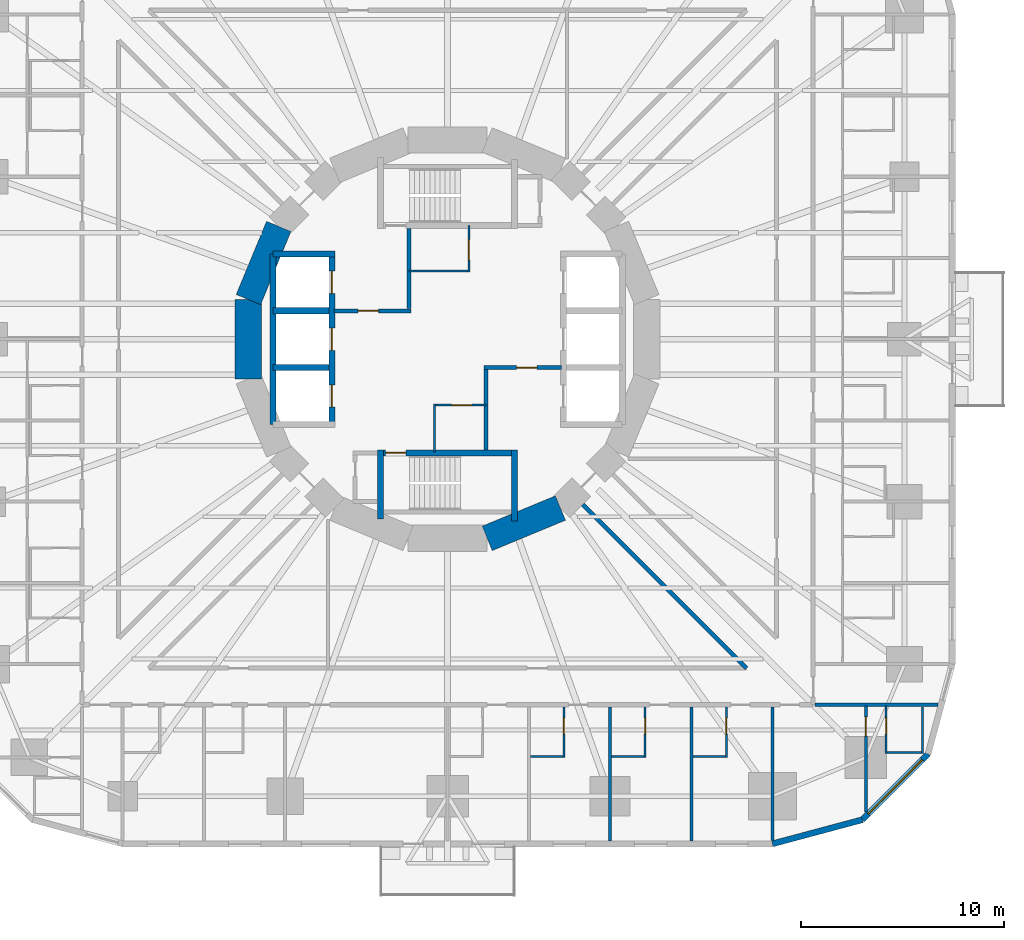
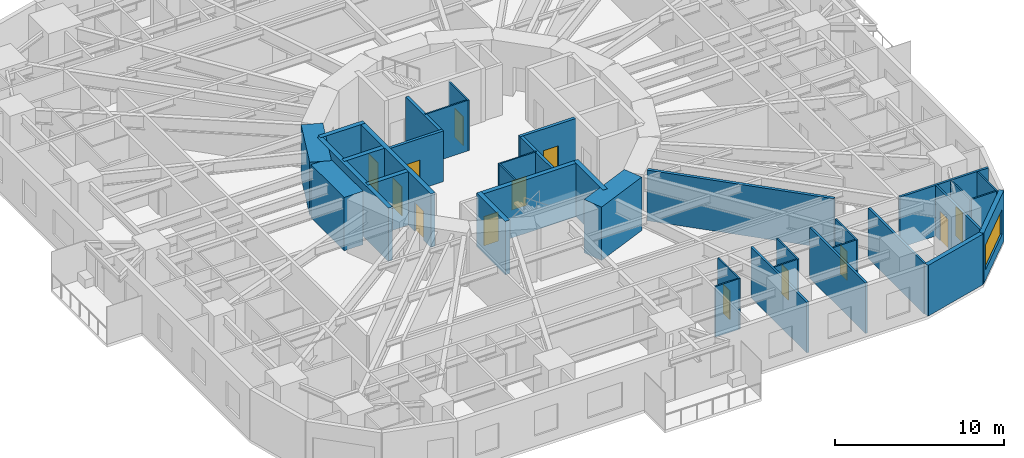
# One storey, part 7 of 14: 36 walls, 13 doors, 1 window, 14 openings.
"""IFC4 building model written with IfcOpenShell, lengths in metres."""

from ifc_helpers import new_model, si_unit, direction, frame, frame_2d, origin, place, context, subcontext, project, spatial, rectangle, extrude, material, layer, layer_set, type_object, element, fill, save


model = new_model("IFC4")

# Units and contexts
model_context = context("Model", 3, precision=1e-05, world=origin(), true_north=direction((0.0, 1.0)))
body_context = subcontext(model_context, "Body", "Model", "MODEL_VIEW")
ifc_project = project(units=[si_unit("LENGTHUNIT", "METRE"), si_unit("AREAUNIT", "SQUARE_METRE"), si_unit("VOLUMEUNIT", "CUBIC_METRE"), si_unit("PLANEANGLEUNIT", "RADIAN"), si_unit("MASSUNIT", "GRAM", prefix="KILO")], contexts=[model_context])

# Site, building, storey
site_placement = place(None, origin())
site = spatial("IfcSite", under=ifc_project, at=site_placement, CompositionType="ELEMENT")
building_placement = place(site_placement, origin())
building = spatial("IfcBuilding", under=site, at=building_placement, Name="Nakasero Lantern House", CompositionType="ELEMENT")
storey_placement = place(building_placement, frame((0.0, 0.0, 42.949951171875)))
storey = spatial("IfcBuildingStorey", under=building, at=storey_placement, Name="L10", CompositionType="ELEMENT", Elevation=42.949951171875)

# Wall, openings, doors
ifc_material_1 = material(Name="Concrete C50/60", Category="concrete")
ifc_layer_1 = layer(ifc_material_1, 0.300048828125)
ifc_layer_set_1 = layer_set([ifc_layer_1], Name="Core inner wall 300")
wall_type_1 = type_object("IfcWallType", Name="Core inner wall 300", PredefinedType="SHEAR", material=ifc_layer_set_1)
wall_1_placement = place(storey_placement, frame((-5.699951171875, -4.199951171875, 0.0), z_axis=(0.0, 0.0, 1.0), x_axis=(0.0, 1.0, 0.0)))
wall_1 = element("IfcWall", 1, at=wall_1_placement, inside=storey, type_object=wall_type_1, Name="Core inner wall L10 LW", PredefinedType="SHEAR", context=body_context, shape_type="SweptSolid", body=[
    extrude(rectangle(XDim=8.39990234375, YDim=0.300048828125, at=frame_2d((4.199951171875, 0.0))), origin(), (0.0, 0.0, 1.0), 3.85009765625),
])
opening_1_placement = place(wall_1_placement, frame((0.85009765625, 0.0, 0.0)))
opening_1 = element("IfcOpeningElement", 2, at=opening_1_placement, cuts=wall_1, Name="Opening LD", PredefinedType="OPENING", context=body_context, shape_type="SweptSolid", body=[
    extrude(rectangle(XDim=1.10009765625, YDim=2.10009765625, at=frame_2d((0.550048828125, 1.050048828125))), frame((0.0, 0.169921875, 0.0), z_axis=(0.0, -1.0, 0.0), x_axis=(1.0, 0.0, 0.0)), (0.0, 0.0, 1.0), 0.340087890625),
])
opening_2_placement = place(wall_1_placement, frame((3.64990234375, 0.0, 0.0)))
opening_2 = element("IfcOpeningElement", 3, at=opening_2_placement, cuts=wall_1, Name="Opening LD", PredefinedType="OPENING", context=body_context, shape_type="SweptSolid", body=[
    extrude(rectangle(XDim=1.10009765625, YDim=2.10009765625, at=frame_2d((0.550048828125, 1.050048828125))), frame((0.0, 0.169921875, 0.0), z_axis=(0.0, -1.0, 0.0), x_axis=(1.0, 0.0, 0.0)), (0.0, 0.0, 1.0), 0.340087890625),
])
opening_3_placement = place(wall_1_placement, frame((6.449951171875, 0.0, 0.0)))
opening_3 = element("IfcOpeningElement", 4, at=opening_3_placement, cuts=wall_1, Name="Opening LD", PredefinedType="OPENING", context=body_context, shape_type="SweptSolid", body=[
    extrude(rectangle(XDim=1.10009765625, YDim=2.10009765625, at=frame_2d((0.550048828125, 1.050048828125))), frame((0.0, 0.169921875, 0.0), z_axis=(0.0, -1.0, 0.0), x_axis=(1.0, 0.0, 0.0)), (0.0, 0.0, 1.0), 0.340087890625),
])
ifc_material_2 = material(Name="Steel S355", Category="steel")
door_type_1 = type_object("IfcDoorType", Name="Lift landing door E120 1100", OperationType="SLIDING_TO_LEFT", PredefinedType="DOOR", material=ifc_material_2)
door_1_placement = place(opening_1_placement, origin())
door_1 = element("IfcDoor", 5, at=door_1_placement, inside=storey, type_object=door_type_1, Name="Lift landing door LW1", OperationType="SLIDING_TO_LEFT", OverallHeight=2.10009765625, OverallWidth=1.10009765625, PredefinedType="DOOR", context=body_context, shape_type="SweptSolid", body=[
    extrude(rectangle(XDim=1.10009765625, YDim=2.10009765625, at=frame_2d((0.550048828125, 1.050048828125))), frame((0.0, 0.02490234375, 0.0), z_axis=(0.0, -1.0, 0.0), x_axis=(1.0, 0.0, 0.0)), (0.0, 0.0, 1.0), 0.050048828125),
])
fill(opening_1, door_1)
door_2_placement = place(opening_2_placement, origin())
door_2 = element("IfcDoor", 6, at=door_2_placement, inside=storey, type_object=door_type_1, Name="Lift landing door LW2", OperationType="SLIDING_TO_LEFT", OverallHeight=2.10009765625, OverallWidth=1.10009765625, PredefinedType="DOOR", context=body_context, shape_type="SweptSolid", body=[
    extrude(rectangle(XDim=1.10009765625, YDim=2.10009765625, at=frame_2d((0.550048828125, 1.050048828125))), frame((0.0, 0.02490234375, 0.0), z_axis=(0.0, -1.0, 0.0), x_axis=(1.0, 0.0, 0.0)), (0.0, 0.0, 1.0), 0.050048828125),
])
fill(opening_2, door_2)
door_3_placement = place(opening_3_placement, origin())
door_3 = element("IfcDoor", 7, at=door_3_placement, inside=storey, type_object=door_type_1, Name="Lift landing door LW3", OperationType="SLIDING_TO_LEFT", OverallHeight=2.10009765625, OverallWidth=1.10009765625, PredefinedType="DOOR", context=body_context, shape_type="SweptSolid", body=[
    extrude(rectangle(XDim=1.10009765625, YDim=2.10009765625, at=frame_2d((0.550048828125, 1.050048828125))), frame((0.0, 0.02490234375, 0.0), z_axis=(0.0, -1.0, 0.0), x_axis=(1.0, 0.0, 0.0)), (0.0, 0.0, 1.0), 0.050048828125),
])
fill(opening_3, door_3)

# Walls
wall_2_placement = place(storey_placement, frame((-8.60009765625, 4.199951171875, 0.0), z_axis=(0.0, 0.0, 1.0), x_axis=(1.0, 0.0, 0.0)))
element("IfcWall", 8, at=wall_2_placement, inside=storey, type_object=wall_type_1, Name="Core inner wall L10 LWN", PredefinedType="SHEAR", context=body_context, shape_type="SweptSolid", body=[
    extrude(rectangle(XDim=3.050048828125, YDim=0.300048828125, at=frame_2d((1.52490234375, 0.0))), origin(), (0.0, 0.0, 1.0), 3.85009765625),
])
wall_3_placement = place(storey_placement, frame((-8.60009765625, -4.199951171875, 0.0), z_axis=(0.0, 0.0, 1.0), x_axis=(0.0, 1.0, 0.0)))
element("IfcWall", 9, at=wall_3_placement, inside=storey, type_object=wall_type_1, Name="Core inner wall L10 LWB", PredefinedType="SHEAR", context=body_context, shape_type="SweptSolid", body=[
    extrude(rectangle(XDim=8.39990234375, YDim=0.300048828125, at=frame_2d((4.199951171875, 0.0))), origin(), (0.0, 0.0, 1.0), 3.85009765625),
])
for number, where, z_axis, x_axis, name in (
    (10, (-8.60009765625, -1.39990234375, 0.0), (0.0, 0.0, 1.0), (1.0, 0.0, 0.0), "Core inner wall L10 LW1"),
    (11, (-8.60009765625, 1.39990234375, 0.0), (0.0, 0.0, 1.0), (1.0, 0.0, 0.0), "Core inner wall L10 LW2"),
):
    element("IfcWall", number, at=place(storey_placement, frame(where, z_axis=z_axis, x_axis=x_axis)), inside=storey, type_object=wall_type_1, Name=name, PredefinedType="SHEAR", context=body_context, shape_type="SweptSolid", body=[
        extrude(rectangle(XDim=2.75, YDim=0.300048828125, at=frame_2d((1.375, 0.0))), origin(), (0.0, 0.0, 1.0), 3.85009765625),
    ])

# Wall, opening, door
wall_4_placement = place(storey_placement, frame((-3.449951171875, -5.60009765625, 0.0), z_axis=(0.0, 0.0, 1.0), x_axis=(1.0, 0.0, 0.0)))
wall_4 = element("IfcWall", 12, at=wall_4_placement, inside=storey, type_object=wall_type_1, Name="Core inner wall L10 SS", PredefinedType="SHEAR", context=body_context, shape_type="SweptSolid", body=[
    extrude(rectangle(XDim=6.89990234375, YDim=0.300048828125, at=frame_2d((3.449951171875, 0.0))), origin(), (0.0, 0.0, 1.0), 3.85009765625),
])
opening_4_placement = place(wall_4_placement, frame((0.39990234375, 0.0, 0.0)))
opening_4 = element("IfcOpeningElement", 13, at=opening_4_placement, cuts=wall_4, Name="Opening D05", PredefinedType="OPENING", context=body_context, shape_type="SweptSolid", body=[
    extrude(rectangle(XDim=1.0, YDim=2.10009765625, at=frame_2d((0.5, 1.050048828125))), frame((0.0, 0.169921875, 0.0), z_axis=(0.0, -1.0, 0.0), x_axis=(1.0, 0.0, 0.0)), (0.0, 0.0, 1.0), 0.340087890625),
])
ifc_material_3 = material(Name="Timber C24", Category="wood")
door_type_2 = type_object("IfcDoorType", Name="Core door FD60S 1000", OperationType="SINGLE_SWING_LEFT", PredefinedType="DOOR", material=ifc_material_3)
door_4_placement = place(opening_4_placement, origin())
door_4 = element("IfcDoor", 14, at=door_4_placement, inside=storey, type_object=door_type_2, Name="Door L10 D-ST2", OperationType="SINGLE_SWING_LEFT", OverallHeight=2.10009765625, OverallWidth=1.0, PredefinedType="DOOR", context=body_context, shape_type="SweptSolid", body=[
    extrude(rectangle(XDim=1.0, YDim=2.10009765625, at=frame_2d((0.5, 1.050048828125))), frame((0.0, 0.02490234375, 0.0), z_axis=(0.0, -1.0, 0.0), x_axis=(1.0, 0.0, 0.0)), (0.0, 0.0, 1.0), 0.050048828125),
])
fill(opening_4, door_4)

# Walls
wall_5_placement = place(storey_placement, frame((-3.300048828125, -5.449951171875, 0.0), z_axis=(0.0, 0.0, 1.0), x_axis=(0.0, -1.0, 0.0)))
element("IfcWall", 15, at=wall_5_placement, inside=storey, type_object=wall_type_1, Name="Core inner wall L10 SSW", PredefinedType="SHEAR", context=body_context, shape_type="SweptSolid", body=[
    extrude(rectangle(XDim=3.400146484375, YDim=0.300048828125, at=frame_2d((1.7001953125, 0.0))), origin(), (0.0, 0.0, 1.0), 3.85009765625),
])
wall_6_placement = place(storey_placement, frame((3.300048828125, -5.449951171875, 0.0), z_axis=(0.0, 0.0, 1.0), x_axis=(0.0, -1.0, 0.0)))
element("IfcWall", 16, at=wall_6_placement, inside=storey, type_object=wall_type_1, Name="Core inner wall L10 SSE", PredefinedType="SHEAR", context=body_context, shape_type="SweptSolid", body=[
    extrude(rectangle(XDim=3.5, YDim=0.300048828125, at=frame_2d((1.75, 0.0))), origin(), (0.0, 0.0, 1.0), 3.85009765625),
])
ifc_material_4 = material(Name="Blockwork", Category="masonry")
ifc_layer_2 = layer(ifc_material_4, 0.10009765625)
ifc_layer_set_2 = layer_set([ifc_layer_2], Name="Core room wall 100")
wall_type_2 = type_object("IfcWallType", Name="Core room wall 100", PredefinedType="PARTITIONING", material=ifc_layer_set_2)
wall_7_placement = place(storey_placement, frame((-1.89990234375, 3.35009765625, 0.0), z_axis=(0.0, 0.0, 1.0), x_axis=(1.0, 0.0, 0.0)))
element("IfcWall", 17, at=wall_7_placement, inside=storey, type_object=wall_type_2, Name="Core room wall L10 CR-NES", PredefinedType="PARTITIONING", context=body_context, shape_type="SweptSolid", body=[
    extrude(rectangle(XDim=3.0, YDim=0.10009765625, at=frame_2d((1.5, 0.0))), origin(), (0.0, 0.0, 1.0), 3.650146484375),
])

# Wall, opening, door
wall_8_placement = place(storey_placement, frame((1.050048828125, 3.300048828125, 0.0), z_axis=(0.0, 0.0, 1.0), x_axis=(0.0, 1.0, 0.0)))
wall_8 = element("IfcWall", 18, at=wall_8_placement, inside=storey, type_object=wall_type_2, Name="Core room wall L10 CR-NEE", PredefinedType="PARTITIONING", context=body_context, shape_type="SweptSolid", body=[
    extrude(rectangle(XDim=2.300048828125, YDim=0.10009765625, at=frame_2d((1.14990234375, 0.0))), origin(), (0.0, 0.0, 1.0), 3.650146484375),
])
opening_5_placement = place(wall_8_placement, frame((0.60009765625, 0.0, 0.0)))
opening_5 = element("IfcOpeningElement", 19, at=opening_5_placement, cuts=wall_8, Name="Opening D13", PredefinedType="OPENING", context=body_context, shape_type="SweptSolid", body=[
    extrude(rectangle(XDim=1.0, YDim=2.10009765625, at=frame_2d((0.5, 1.050048828125))), frame((0.0, 0.070068359375, 0.0), z_axis=(0.0, -1.0, 0.0), x_axis=(1.0, 0.0, 0.0)), (0.0, 0.0, 1.0), 0.14013671875),
])
ifc_material_5 = material(Name="Steel S355", Category="steel")
door_type_3 = type_object("IfcDoorType", Name="Plant room door FD60 1000", OperationType="SINGLE_SWING_LEFT", PredefinedType="DOOR", material=ifc_material_5)
door_5_placement = place(opening_5_placement, origin())
door_5 = element("IfcDoor", 20, at=door_5_placement, inside=storey, type_object=door_type_3, Name="Door L10 D-CR-NE", OperationType="SINGLE_SWING_LEFT", OverallHeight=2.10009765625, OverallWidth=1.0, PredefinedType="DOOR", context=body_context, shape_type="SweptSolid", body=[
    extrude(rectangle(XDim=1.0, YDim=2.10009765625, at=frame_2d((0.5, 1.050048828125))), frame((0.0, 0.02490234375, 0.0), z_axis=(0.0, -1.0, 0.0), x_axis=(1.0, 0.0, 0.0)), (0.0, 0.0, 1.0), 0.050048828125),
])
fill(opening_5, door_5)

wall_9_placement = place(storey_placement, frame((-0.699951171875, -3.25, 0.0), z_axis=(0.0, 0.0, 1.0), x_axis=(1.0, 0.0, 0.0)))
wall_9 = element("IfcWall", 21, at=wall_9_placement, inside=storey, type_object=wall_type_2, Name="Core room wall L10 CR-SWN", PredefinedType="PARTITIONING", context=body_context, shape_type="SweptSolid", body=[
    extrude(rectangle(XDim=2.599853515625, YDim=0.10009765625, at=frame_2d((1.2998046875, 0.0))), origin(), (0.0, 0.0, 1.0), 3.650146484375),
])
opening_6_placement = place(wall_9_placement, frame((0.89990234375, 0.0, 0.0)))
opening_6 = element("IfcOpeningElement", 22, at=opening_6_placement, cuts=wall_9, Name="Opening D07", PredefinedType="OPENING", context=body_context, shape_type="SweptSolid", body=[
    extrude(rectangle(XDim=1.0, YDim=2.10009765625, at=frame_2d((0.5, 1.050048828125))), frame((0.0, 0.070068359375, 0.0), z_axis=(0.0, -1.0, 0.0), x_axis=(1.0, 0.0, 0.0)), (0.0, 0.0, 1.0), 0.14013671875),
])
ifc_material_6 = material(Name="Timber C24", Category="wood")
door_type_4 = type_object("IfcDoorType", Name="Room door FD30S 1000", OperationType="SINGLE_SWING_LEFT", PredefinedType="DOOR", material=ifc_material_6)
door_6_placement = place(opening_6_placement, origin())
door_6 = element("IfcDoor", 23, at=door_6_placement, inside=storey, type_object=door_type_4, Name="Door L10 D-CR-SW", OperationType="SINGLE_SWING_RIGHT", OverallHeight=2.10009765625, OverallWidth=1.0, PredefinedType="DOOR", context=body_context, shape_type="SweptSolid", body=[
    extrude(rectangle(XDim=1.0, YDim=2.10009765625, at=frame_2d((0.5, 1.050048828125))), frame((0.0, 0.02490234375, 0.0), z_axis=(0.0, -1.0, 0.0), x_axis=(1.0, 0.0, 0.0)), (0.0, 0.0, 1.0), 0.050048828125),
])
fill(opening_6, door_6)

# Walls
wall_10_placement = place(storey_placement, frame((-0.64990234375, -5.550048828125, 0.0), z_axis=(0.0, 0.0, 1.0), x_axis=(0.0, 1.0, 0.0)))
element("IfcWall", 24, at=wall_10_placement, inside=storey, type_object=wall_type_2, Name="Core room wall L10 CR-SWW", PredefinedType="PARTITIONING", context=body_context, shape_type="SweptSolid", body=[
    extrude(rectangle(XDim=2.35009765625, YDim=0.10009765625, at=frame_2d((1.175048828125, 0.0))), origin(), (0.0, 0.0, 1.0), 3.650146484375),
])
ifc_material_7 = material(Name="Concrete C50/60", Category="concrete")
ifc_layer_3 = layer(ifc_material_7, 1.300048828125)
ifc_layer_set_3 = layer_set([ifc_layer_3], Name="Core wall 1300")
wall_type_3 = type_object("IfcWallType", Name="Core wall 1300", PredefinedType="SHEAR", material=ifc_layer_set_3)
for number, where, z_axis, x_axis, name in (
    (25, (-8.314697265625, 5.5556640625, 0.0), (0.0, 0.0, 1.0), (-0.382690736062, -0.923876507187, 0.0), "Core wall L10 facet 7"),
    (26, (-9.807861328125, 1.950927734375, 0.0), (0.0, 0.0, 1.0), (0.0, -1.0, 0.0), "Core wall L10 facet 8"),
    (27, (1.950927734375, -9.807861328125, 0.0), (0.0, 0.0, 1.0), (0.923876507187, 0.382690736062, 0.0), "Core wall L10 facet 13"),
):
    element("IfcWall", number, at=place(storey_placement, frame(where, z_axis=z_axis, x_axis=x_axis)), inside=storey, type_object=wall_type_3, Name=name, PredefinedType="SHEAR", context=body_context, shape_type="SweptSolid", body=[
        extrude(rectangle(XDim=3.90185546875, YDim=1.300048828125, at=frame_2d((1.950927734375, 0.0))), origin(), (0.0, 0.0, 1.0), 3.85009765625),
    ])
ifc_material_8 = material(Name="Blockwork", Category="masonry")
ifc_layer_4 = layer(ifc_material_8, 0.199951171875)
ifc_layer_set_4 = layer_set([ifc_layer_4], Name="Corridor wall 200")
wall_type_4 = type_object("IfcWallType", Name="Corridor wall 200", PredefinedType="PARTITIONING", material=ifc_layer_set_4)
wall_11_placement = place(storey_placement, frame((6.65234375, -8.13720703125, 0.0), z_axis=(0.0, 0.0, 1.0), x_axis=(0.707106781187, -0.707106781187, 0.0)))
element("IfcWall", 28, at=wall_11_placement, inside=storey, type_object=wall_type_4, Name="Corridor wall L10 PS14b", PredefinedType="PARTITIONING", context=body_context, shape_type="SweptSolid", body=[
    extrude(rectangle(XDim=11.40234375, YDim=0.199951171875, at=frame_2d((5.701171875, 0.0))), origin(), (0.0, 0.0, 1.0), 3.650146484375),
])

# Wall, opening, door
ifc_material_9 = material(Name="Blockwork", Category="masonry")
ifc_layer_5 = layer(ifc_material_9, 0.10009765625)
ifc_layer_set_5 = layer_set([ifc_layer_5], Name="En-suite wall 100")
wall_type_5 = type_object("IfcWallType", Name="En-suite wall 100", PredefinedType="PARTITIONING", material=ifc_layer_set_5)
wall_12_placement = place(storey_placement, frame((5.72509765625, -18.10009765625, 0.0), z_axis=(0.0, 0.0, 1.0), x_axis=(0.0, -1.0, 0.0)))
wall_12 = element("IfcWall", 29, at=wall_12_placement, inside=storey, type_object=wall_type_5, Name="En-suite wall L10 ES3-06", PredefinedType="PARTITIONING", context=body_context, shape_type="SweptSolid", body=[
    extrude(rectangle(XDim=2.5, YDim=0.10009765625, at=frame_2d((1.25, 0.0))), origin(), (0.0, 0.0, 1.0), 3.650146484375),
])
opening_7_placement = place(wall_12_placement, frame((0.550048828125, 0.0, 0.0)))
opening_7 = element("IfcOpeningElement", 30, at=opening_7_placement, cuts=wall_12, Name="Opening D02", PredefinedType="OPENING", context=body_context, shape_type="SweptSolid", body=[
    extrude(rectangle(XDim=0.800048828125, YDim=2.10009765625, at=frame_2d((0.39990234375, 1.050048828125))), frame((0.0, 0.070068359375, 0.0), z_axis=(0.0, -1.0, 0.0), x_axis=(1.0, 0.0, 0.0)), (0.0, 0.0, 1.0), 0.14013671875),
])
ifc_material_10 = material(Name="Timber C24", Category="wood")
door_type_5 = type_object("IfcDoorType", Name="En-suite door 800", OperationType="SINGLE_SWING_RIGHT", PredefinedType="DOOR", material=ifc_material_10)
door_7_placement = place(opening_7_placement, origin())
door_7 = element("IfcDoor", 31, at=door_7_placement, inside=storey, type_object=door_type_5, Name="Door L10 DE3-06", OperationType="SINGLE_SWING_LEFT", OverallHeight=2.10009765625, OverallWidth=0.800048828125, PredefinedType="DOOR", context=body_context, shape_type="SweptSolid", body=[
    extrude(rectangle(XDim=0.800048828125, YDim=2.10009765625, at=frame_2d((0.39990234375, 1.050048828125))), frame((0.0, 0.02490234375, 0.0), z_axis=(0.0, -1.0, 0.0), x_axis=(1.0, 0.0, 0.0)), (0.0, 0.0, 1.0), 0.050048828125),
])
fill(opening_7, door_7)

# Wall
wall_13_placement = place(storey_placement, frame((4.074951171875, -20.550048828125, 0.0), z_axis=(0.0, 0.0, 1.0), x_axis=(1.0, 0.0, 0.0)))
element("IfcWall", 32, at=wall_13_placement, inside=storey, type_object=wall_type_5, Name="En-suite wall L10 EE3-06", PredefinedType="PARTITIONING", context=body_context, shape_type="SweptSolid", body=[
    extrude(rectangle(XDim=1.60009765625, YDim=0.10009765625, at=frame_2d((0.800048828125, 0.0))), origin(), (0.0, 0.0, 1.0), 3.650146484375),
])

# Wall, opening, door
wall_14_placement = place(storey_placement, frame((9.72509765625, -18.10009765625, 0.0), z_axis=(0.0, 0.0, 1.0), x_axis=(0.0, -1.0, 0.0)))
wall_14 = element("IfcWall", 33, at=wall_14_placement, inside=storey, type_object=wall_type_5, Name="En-suite wall L10 ES3-07", PredefinedType="PARTITIONING", context=body_context, shape_type="SweptSolid", body=[
    extrude(rectangle(XDim=2.5, YDim=0.10009765625, at=frame_2d((1.25, 0.0))), origin(), (0.0, 0.0, 1.0), 3.650146484375),
])
opening_8_placement = place(wall_14_placement, frame((0.550048828125, 0.0, 0.0)))
opening_8 = element("IfcOpeningElement", 34, at=opening_8_placement, cuts=wall_14, Name="Opening D02", PredefinedType="OPENING", context=body_context, shape_type="SweptSolid", body=[
    extrude(rectangle(XDim=0.800048828125, YDim=2.10009765625, at=frame_2d((0.39990234375, 1.050048828125))), frame((0.0, 0.070068359375, 0.0), z_axis=(0.0, -1.0, 0.0), x_axis=(1.0, 0.0, 0.0)), (0.0, 0.0, 1.0), 0.14013671875),
])
door_8_placement = place(opening_8_placement, origin())
door_8 = element("IfcDoor", 35, at=door_8_placement, inside=storey, type_object=door_type_5, Name="Door L10 DE3-07", OperationType="SINGLE_SWING_LEFT", OverallHeight=2.10009765625, OverallWidth=0.800048828125, PredefinedType="DOOR", context=body_context, shape_type="SweptSolid", body=[
    extrude(rectangle(XDim=0.800048828125, YDim=2.10009765625, at=frame_2d((0.39990234375, 1.050048828125))), frame((0.0, 0.02490234375, 0.0), z_axis=(0.0, -1.0, 0.0), x_axis=(1.0, 0.0, 0.0)), (0.0, 0.0, 1.0), 0.050048828125),
])
fill(opening_8, door_8)

# Wall
wall_15_placement = place(storey_placement, frame((8.074951171875, -20.550048828125, 0.0), z_axis=(0.0, 0.0, 1.0), x_axis=(1.0, 0.0, 0.0)))
element("IfcWall", 36, at=wall_15_placement, inside=storey, type_object=wall_type_5, Name="En-suite wall L10 EE3-07", PredefinedType="PARTITIONING", context=body_context, shape_type="SweptSolid", body=[
    extrude(rectangle(XDim=1.60009765625, YDim=0.10009765625, at=frame_2d((0.800048828125, 0.0))), origin(), (0.0, 0.0, 1.0), 3.650146484375),
])

# Wall, opening, door
wall_16_placement = place(storey_placement, frame((13.72509765625, -18.10009765625, 0.0), z_axis=(0.0, 0.0, 1.0), x_axis=(0.0, -1.0, 0.0)))
wall_16 = element("IfcWall", 37, at=wall_16_placement, inside=storey, type_object=wall_type_5, Name="En-suite wall L10 ES3-08", PredefinedType="PARTITIONING", context=body_context, shape_type="SweptSolid", body=[
    extrude(rectangle(XDim=2.5, YDim=0.10009765625, at=frame_2d((1.25, 0.0))), origin(), (0.0, 0.0, 1.0), 3.650146484375),
])
opening_9_placement = place(wall_16_placement, frame((0.550048828125, 0.0, 0.0)))
opening_9 = element("IfcOpeningElement", 38, at=opening_9_placement, cuts=wall_16, Name="Opening D02", PredefinedType="OPENING", context=body_context, shape_type="SweptSolid", body=[
    extrude(rectangle(XDim=0.800048828125, YDim=2.10009765625, at=frame_2d((0.39990234375, 1.050048828125))), frame((0.0, 0.070068359375, 0.0), z_axis=(0.0, -1.0, 0.0), x_axis=(1.0, 0.0, 0.0)), (0.0, 0.0, 1.0), 0.14013671875),
])
door_9_placement = place(opening_9_placement, origin())
door_9 = element("IfcDoor", 39, at=door_9_placement, inside=storey, type_object=door_type_5, Name="Door L10 DE3-08", OperationType="SINGLE_SWING_LEFT", OverallHeight=2.10009765625, OverallWidth=0.800048828125, PredefinedType="DOOR", context=body_context, shape_type="SweptSolid", body=[
    extrude(rectangle(XDim=0.800048828125, YDim=2.10009765625, at=frame_2d((0.39990234375, 1.050048828125))), frame((0.0, 0.02490234375, 0.0), z_axis=(0.0, -1.0, 0.0), x_axis=(1.0, 0.0, 0.0)), (0.0, 0.0, 1.0), 0.050048828125),
])
fill(opening_9, door_9)

# Wall
wall_17_placement = place(storey_placement, frame((12.074951171875, -20.550048828125, 0.0), z_axis=(0.0, 0.0, 1.0), x_axis=(1.0, 0.0, 0.0)))
element("IfcWall", 40, at=wall_17_placement, inside=storey, type_object=wall_type_5, Name="En-suite wall L10 EE3-08", PredefinedType="PARTITIONING", context=body_context, shape_type="SweptSolid", body=[
    extrude(rectangle(XDim=1.60009765625, YDim=0.10009765625, at=frame_2d((0.800048828125, 0.0))), origin(), (0.0, 0.0, 1.0), 3.650146484375),
])

# Wall, opening, door
wall_18_placement = place(storey_placement, frame((21.59619140625, -18.06494140625, 0.0), z_axis=(0.0, 0.0, 1.0), x_axis=(0.0, -1.0, 0.0)))
wall_18 = element("IfcWall", 41, at=wall_18_placement, inside=storey, type_object=wall_type_5, Name="En-suite wall L10 ES3-09", PredefinedType="PARTITIONING", context=body_context, shape_type="SweptSolid", body=[
    extrude(rectangle(XDim=2.3349609375, YDim=0.10009765625, at=frame_2d((1.16748046875, 0.0))), origin(), (0.0, 0.0, 1.0), 3.650146484375),
])
opening_10_placement = place(wall_18_placement, frame((0.5849609375, 0.0, 0.0)))
opening_10 = element("IfcOpeningElement", 42, at=opening_10_placement, cuts=wall_18, Name="Opening D02", PredefinedType="OPENING", context=body_context, shape_type="SweptSolid", body=[
    extrude(rectangle(XDim=0.800048828125, YDim=2.10009765625, at=frame_2d((0.39990234375, 1.050048828125))), frame((0.0, 0.070068359375, 0.0), z_axis=(0.0, -1.0, 0.0), x_axis=(1.0, 0.0, 0.0)), (0.0, 0.0, 1.0), 0.14013671875),
])
door_10_placement = place(opening_10_placement, origin())
door_10 = element("IfcDoor", 43, at=door_10_placement, inside=storey, type_object=door_type_5, Name="Door L10 DE3-09", OperationType="SINGLE_SWING_LEFT", OverallHeight=2.10009765625, OverallWidth=0.800048828125, PredefinedType="DOOR", context=body_context, shape_type="SweptSolid", body=[
    extrude(rectangle(XDim=0.800048828125, YDim=2.10009765625, at=frame_2d((0.39990234375, 1.050048828125))), frame((0.0, 0.02490234375, 0.0), z_axis=(0.0, -1.0, 0.0), x_axis=(1.0, 0.0, 0.0)), (0.0, 0.0, 1.0), 0.050048828125),
])
fill(opening_10, door_10)

# Walls
wall_19_placement = place(storey_placement, frame((21.646240234375, -20.35009765625, 0.0), z_axis=(0.0, 0.0, 1.0), x_axis=(1.0, 0.0, 0.0)))
element("IfcWall", 44, at=wall_19_placement, inside=storey, type_object=wall_type_5, Name="En-suite wall L10 EE3-09", PredefinedType="PARTITIONING", context=body_context, shape_type="SweptSolid", body=[
    extrude(rectangle(XDim=1.699951171875, YDim=0.10009765625, at=frame_2d((0.85009765625, 0.0))), origin(), (0.0, 0.0, 1.0), 3.650146484375),
])
wall_20_placement = place(storey_placement, frame((23.396240234375, -18.10009765625, 0.0), z_axis=(0.0, 0.0, 1.0), x_axis=(0.0, -1.0, 0.0)))
element("IfcWall", 45, at=wall_20_placement, inside=storey, type_object=wall_type_5, Name="En-suite wall L10 EV3-09", PredefinedType="PARTITIONING", context=body_context, shape_type="SweptSolid", body=[
    extrude(rectangle(XDim=2.2998046875, YDim=0.10009765625, at=frame_2d((1.14990234375, 0.0))), origin(), (0.0, 0.0, 1.0), 3.650146484375),
])
ifc_material_11 = material(Name="Aluminium rainscreen on blockwork", Category="masonry")
ifc_layer_6 = layer(ifc_material_11, 0.300048828125)
ifc_layer_set_6 = layer_set([ifc_layer_6], Name="Facade wall 300")
wall_type_6 = type_object("IfcWallType", Name="Facade wall 300", PredefinedType="SOLIDWALL", material=ifc_layer_set_6)
wall_21_placement = place(storey_placement, frame((16.0, -24.85009765625, 0.0), z_axis=(0.0, 0.0, 1.0), x_axis=(0.965920218567, 0.258839972501, 0.0)))
element("IfcWall", 46, at=wall_21_placement, inside=storey, type_object=wall_type_6, Name="Facade wall L10 FW3C1", PredefinedType="SOLIDWALL", context=body_context, shape_type="SweptSolid", body=[
    extrude(rectangle(XDim=4.5810546875, YDim=0.300048828125, at=frame_2d((2.29052734375, 0.0))), origin(), (0.0, 0.0, 1.0), 3.650146484375),
])

# Wall, opening, window
wall_22_placement = place(storey_placement, frame((20.425048828125, -23.664306640625, 0.0), z_axis=(0.0, 0.0, 1.0), x_axis=(0.707106781187, 0.707106781187, 0.0)))
wall_22 = element("IfcWall", 47, at=wall_22_placement, inside=storey, type_object=wall_type_6, Name="Facade wall L10 FW3C2", PredefinedType="SOLIDWALL", context=body_context, shape_type="SweptSolid", body=[
    extrude(rectangle(XDim=4.5810546875, YDim=0.300048828125, at=frame_2d((2.29052734375, 0.0))), origin(), (0.0, 0.0, 1.0), 3.650146484375),
])
opening_11_placement = place(wall_22_placement, frame((0.39990234375, 0.0, 0.75)))
opening_11 = element("IfcOpeningElement", 48, at=opening_11_placement, cuts=wall_22, Name="Opening W237", PredefinedType="OPENING", context=body_context, shape_type="SweptSolid", body=[
    extrude(rectangle(XDim=3.781005859375, YDim=1.800048828125, at=frame_2d((1.890625, 0.89990234375))), frame((0.0, 0.169921875, 0.0), z_axis=(0.0, -1.0, 0.0), x_axis=(1.0, 0.0, 0.0)), (0.0, 0.0, 1.0), 0.340087890625),
])
ifc_material_12 = material(Name="Aluminium 6063-T6 and glass", Category="aluminium")
window_type = type_object("IfcWindowType", Name="Corner window 3781x1800", PartitioningType="SINGLE_PANEL", PredefinedType="WINDOW", material=ifc_material_12)
window_placement = place(opening_11_placement, origin())
window = element("IfcWindow", 49, at=window_placement, inside=storey, type_object=window_type, Name="Window L10 WC3", OverallHeight=1.800048828125, OverallWidth=3.781005859375, PartitioningType="SINGLE_PANEL", PredefinedType="WINDOW", context=body_context, shape_type="SweptSolid", body=[
    extrude(rectangle(XDim=3.781005859375, YDim=1.800048828125, at=frame_2d((1.890625, 0.89990234375))), frame((0.0, 0.030029296875, 0.0), z_axis=(0.0, -1.0, 0.0), x_axis=(1.0, 0.0, 0.0)), (0.0, 0.0, 1.0), 0.06005859375),
])
fill(opening_11, window)

# Wall, opening, door
ifc_material_13 = material(Name="Blockwork", Category="masonry")
ifc_layer_7 = layer(ifc_material_13, 0.199951171875)
ifc_layer_set_7 = layer_set([ifc_layer_7], Name="Fire lobby wall 200")
wall_type_7 = type_object("IfcWallType", Name="Fire lobby wall 200", PredefinedType="PARTITIONING", material=ifc_layer_set_7)
wall_23_placement = place(storey_placement, frame((-5.60009765625, 1.39990234375, 0.0), z_axis=(0.0, 0.0, 1.0), x_axis=(1.0, 0.0, 0.0)))
wall_23 = element("IfcWall", 50, at=wall_23_placement, inside=storey, type_object=wall_type_7, Name="Fire lobby wall L10 W-FL1S", PredefinedType="PARTITIONING", context=body_context, shape_type="SweptSolid", body=[
    extrude(rectangle(XDim=3.800048828125, YDim=0.199951171875, at=frame_2d((1.89990234375, 0.0))), origin(), (0.0, 0.0, 1.0), 3.650146484375),
])
opening_12_placement = place(wall_23_placement, frame((1.199951171875, 0.0, 0.0)))
opening_12 = element("IfcOpeningElement", 51, at=opening_12_placement, cuts=wall_23, Name="Opening D05", PredefinedType="OPENING", context=body_context, shape_type="SweptSolid", body=[
    extrude(rectangle(XDim=1.0, YDim=2.10009765625, at=frame_2d((0.5, 1.050048828125))), frame((0.0, 0.119873046875, 0.0), z_axis=(0.0, -1.0, 0.0), x_axis=(1.0, 0.0, 0.0)), (0.0, 0.0, 1.0), 0.239990234375),
])
door_11_placement = place(opening_12_placement, origin())
door_11 = element("IfcDoor", 52, at=door_11_placement, inside=storey, type_object=door_type_2, Name="Door L10 D-FL1", OperationType="SINGLE_SWING_LEFT", OverallHeight=2.10009765625, OverallWidth=1.0, PredefinedType="DOOR", context=body_context, shape_type="SweptSolid", body=[
    extrude(rectangle(XDim=1.0, YDim=2.10009765625, at=frame_2d((0.5, 1.050048828125))), frame((0.0, 0.02490234375, 0.0), z_axis=(0.0, -1.0, 0.0), x_axis=(1.0, 0.0, 0.0)), (0.0, 0.0, 1.0), 0.050048828125),
])
fill(opening_12, door_11)

# Wall
wall_24_placement = place(storey_placement, frame((-1.89990234375, 1.5, 0.0), z_axis=(0.0, 0.0, 1.0), x_axis=(0.0, 1.0, 0.0)))
element("IfcWall", 53, at=wall_24_placement, inside=storey, type_object=wall_type_7, Name="Fire lobby wall L10 W-FL1E", PredefinedType="PARTITIONING", context=body_context, shape_type="SweptSolid", body=[
    extrude(rectangle(XDim=3.949951171875, YDim=0.199951171875, at=frame_2d((1.97509765625, 0.0))), origin(), (0.0, 0.0, 1.0), 3.650146484375),
])

# Wall, opening, door
wall_25_placement = place(storey_placement, frame((5.60009765625, -1.39990234375, 0.0), z_axis=(0.0, 0.0, 1.0), x_axis=(-1.0, 0.0, 0.0)))
wall_25 = element("IfcWall", 54, at=wall_25_placement, inside=storey, type_object=wall_type_7, Name="Fire lobby wall L10 W-FL2N", PredefinedType="PARTITIONING", context=body_context, shape_type="SweptSolid", body=[
    extrude(rectangle(XDim=3.800048828125, YDim=0.199951171875, at=frame_2d((1.89990234375, 0.0))), origin(), (0.0, 0.0, 1.0), 3.650146484375),
])
opening_13_placement = place(wall_25_placement, frame((1.199951171875, 0.0, 0.0)))
opening_13 = element("IfcOpeningElement", 55, at=opening_13_placement, cuts=wall_25, Name="Opening D05", PredefinedType="OPENING", context=body_context, shape_type="SweptSolid", body=[
    extrude(rectangle(XDim=1.0, YDim=2.10009765625, at=frame_2d((0.5, 1.050048828125))), frame((0.0, 0.119873046875, 0.0), z_axis=(0.0, -1.0, 0.0), x_axis=(1.0, 0.0, 0.0)), (0.0, 0.0, 1.0), 0.239990234375),
])
door_12_placement = place(opening_13_placement, origin())
door_12 = element("IfcDoor", 56, at=door_12_placement, inside=storey, type_object=door_type_2, Name="Door L10 D-FL2", OperationType="SINGLE_SWING_LEFT", OverallHeight=2.10009765625, OverallWidth=1.0, PredefinedType="DOOR", context=body_context, shape_type="SweptSolid", body=[
    extrude(rectangle(XDim=1.0, YDim=2.10009765625, at=frame_2d((0.5, 1.050048828125))), frame((0.0, 0.02490234375, 0.0), z_axis=(0.0, -1.0, 0.0), x_axis=(1.0, 0.0, 0.0)), (0.0, 0.0, 1.0), 0.050048828125),
])
fill(opening_13, door_12)

# Walls
wall_26_placement = place(storey_placement, frame((1.89990234375, -1.5, 0.0), z_axis=(0.0, 0.0, 1.0), x_axis=(0.0, -1.0, 0.0)))
element("IfcWall", 57, at=wall_26_placement, inside=storey, type_object=wall_type_7, Name="Fire lobby wall L10 W-FL2W", PredefinedType="PARTITIONING", context=body_context, shape_type="SweptSolid", body=[
    extrude(rectangle(XDim=3.949951171875, YDim=0.199951171875, at=frame_2d((1.97509765625, 0.0))), origin(), (0.0, 0.0, 1.0), 3.650146484375),
])
ifc_material_14 = material(Name="Blockwork", Category="masonry")
ifc_layer_8 = layer(ifc_material_14, 0.14990234375)
ifc_layer_set_8 = layer_set([ifc_layer_8], Name="Party wall 150")
wall_type_8 = type_object("IfcWallType", Name="Party wall 150", PredefinedType="PARTITIONING", material=ifc_layer_set_8)
wall_27_placement = place(storey_placement, frame((18.10009765625, -18.0, 0.0), z_axis=(0.0, 0.0, 1.0), x_axis=(1.0, 0.0, 0.0)))
element("IfcWall", 58, at=wall_27_placement, inside=storey, type_object=wall_type_8, Name="Party wall L10 PW0-00", PredefinedType="PARTITIONING", context=body_context, shape_type="SweptSolid", body=[
    extrude(rectangle(XDim=6.053466796875, YDim=0.14990234375, at=frame_2d((3.02685546875, 0.0))), origin(), (0.0, 0.0, 1.0), 3.650146484375),
])
for number, where, z_axis, x_axis, name in (
    (59, (8.0, -18.10009765625, 0.0), (0.0, 0.0, 1.0), (0.0, -1.0, 0.0), "Party wall L10 PW3-07"),
    (60, (12.0, -18.10009765625, 0.0), (0.0, 0.0, 1.0), (0.0, -1.0, 0.0), "Party wall L10 PW3-08"),
):
    element("IfcWall", number, at=place(storey_placement, frame(where, z_axis=z_axis, x_axis=x_axis)), inside=storey, type_object=wall_type_8, Name=name, PredefinedType="PARTITIONING", context=body_context, shape_type="SweptSolid", body=[
        extrude(rectangle(XDim=6.599853515625, YDim=0.14990234375, at=frame_2d((3.2998046875, 0.0))), origin(), (0.0, 0.0, 1.0), 3.650146484375),
    ])
wall_28_placement = place(storey_placement, frame((16.0, -18.10009765625, 0.0), z_axis=(0.0, 0.0, 1.0), x_axis=(0.0, -1.0, 0.0)))
element("IfcWall", 61, at=wall_28_placement, inside=storey, type_object=wall_type_8, Name="Party wall L10 PW3-09", PredefinedType="PARTITIONING", context=body_context, shape_type="SweptSolid", body=[
    extrude(rectangle(XDim=6.58935546875, YDim=0.14990234375, at=frame_2d((3.294677734375, 0.0))), origin(), (0.0, 0.0, 1.0), 3.650146484375),
])

# Wall, opening, door
wall_29_placement = place(storey_placement, frame((20.59619140625, -18.06494140625, 0.0), z_axis=(0.0, 0.0, 1.0), x_axis=(0.0, -1.0, 0.0)))
wall_29 = element("IfcWall", 62, at=wall_29_placement, inside=storey, type_object=wall_type_8, Name="Party wall L10 PC3", PredefinedType="PARTITIONING", context=body_context, shape_type="SweptSolid", body=[
    extrude(rectangle(XDim=5.208740234375, YDim=0.14990234375, at=frame_2d((2.6044921875, 0.0))), origin(), (0.0, 0.0, 1.0), 3.650146484375),
])
opening_14_placement = place(wall_29_placement, frame((0.534912109375, 0.0, 0.0)))
opening_14 = element("IfcOpeningElement", 63, at=opening_14_placement, cuts=wall_29, Name="Opening D01", PredefinedType="OPENING", context=body_context, shape_type="SweptSolid", body=[
    extrude(rectangle(XDim=0.949951171875, YDim=2.10009765625, at=frame_2d((0.47509765625, 1.050048828125))), frame((0.0, 0.094970703125, 0.0), z_axis=(0.0, -1.0, 0.0), x_axis=(1.0, 0.0, 0.0)), (0.0, 0.0, 1.0), 0.18994140625),
])
ifc_material_15 = material(Name="Timber C24", Category="wood")
door_type_6 = type_object("IfcDoorType", Name="Bedroom door FD30S 950", OperationType="SINGLE_SWING_LEFT", PredefinedType="DOOR", material=ifc_material_15)
door_13_placement = place(opening_14_placement, origin())
door_13 = element("IfcDoor", 64, at=door_13_placement, inside=storey, type_object=door_type_6, Name="Door L10 DC3", OperationType="SINGLE_SWING_LEFT", OverallHeight=2.10009765625, OverallWidth=0.949951171875, PredefinedType="DOOR", context=body_context, shape_type="SweptSolid", body=[
    extrude(rectangle(XDim=0.949951171875, YDim=2.10009765625, at=frame_2d((0.47509765625, 1.050048828125))), frame((0.0, 0.02490234375, 0.0), z_axis=(0.0, -1.0, 0.0), x_axis=(1.0, 0.0, 0.0)), (0.0, 0.0, 1.0), 0.050048828125),
])
fill(opening_14, door_13)

save(model, "model.ifc")
